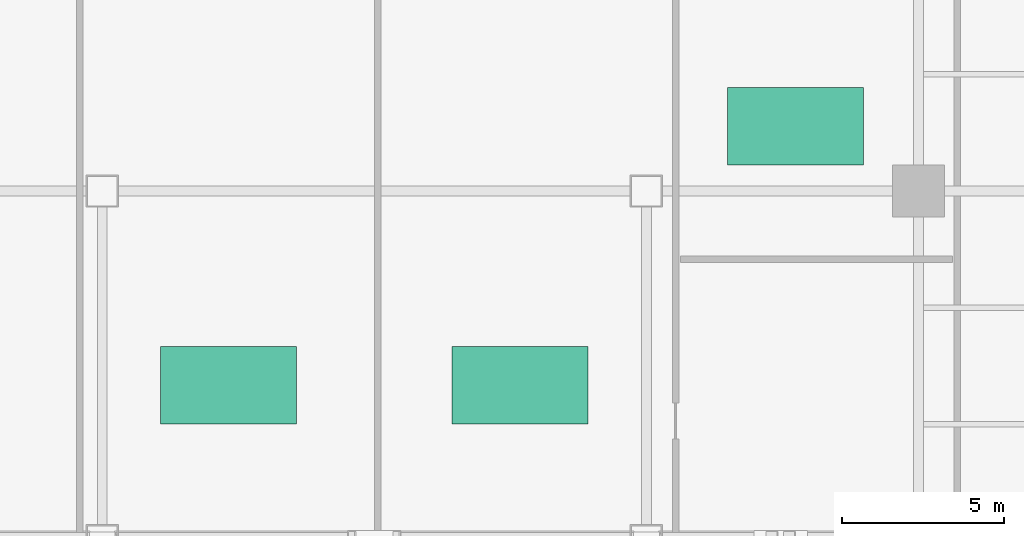
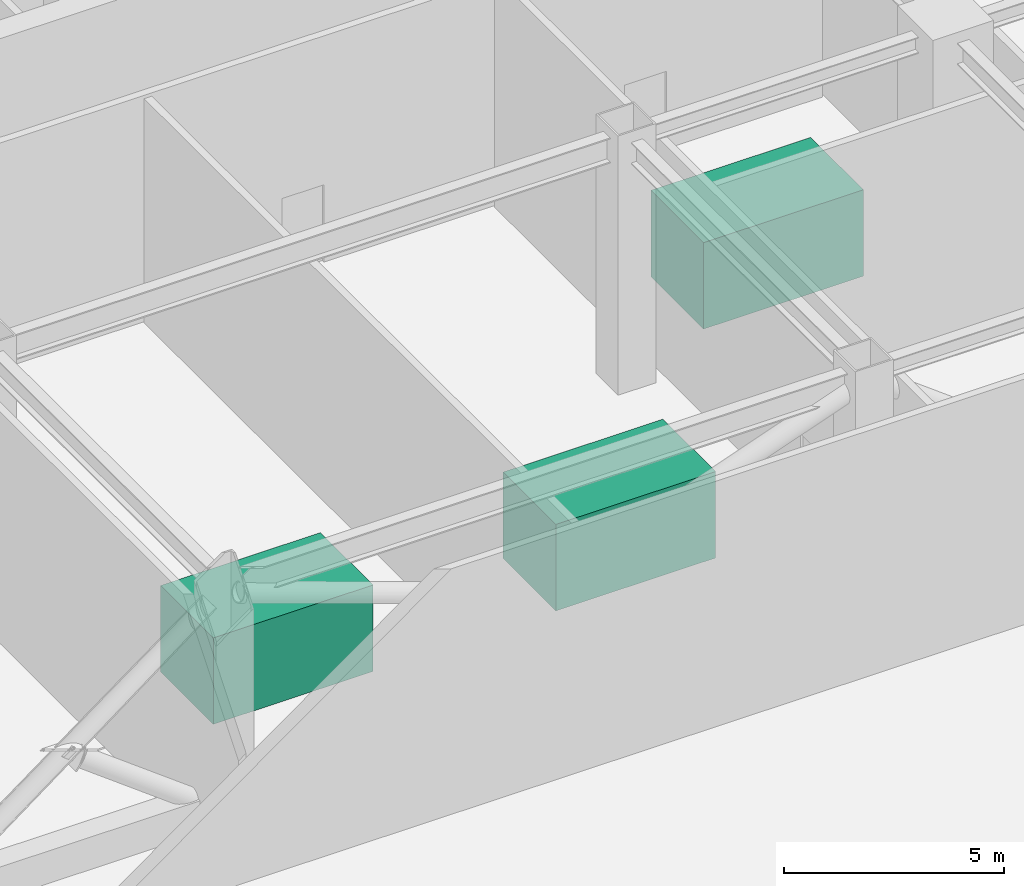
# One storey, part 8 of 8: 3 unitary equipment elements.
"""IFC4 building model written with IfcOpenShell, lengths in metres."""

import ifcopenshell
import ifcopenshell.guid

model = None  # the IFC model being written
_history = None  # IfcOwnerHistory: only IFC2X3 demands one
_inside = {}  # id of a spatial element -> (the spatial element, [elements in it])
_under = {}  # id of a project, library or spatial element -> (it, [spatial elements below it])
_declared = {}  # id of a project -> (the project, [libraries it declares])
_typed = {}  # id of a type object -> (the type object, [elements of that type])
_made_of = {}  # id of a material, layer set ... -> (it, [elements and type objects made of it])


def new_model(schema):
    """Start an empty IFC model of exactly this schema.

    Asked for "IFC4X3", IfcOpenShell would pick the latest addendum, in which some entities
    have other attributes; the version numbers below select the first issue.
    IFC2X3 requires an IfcOwnerHistory on every rooted entity: one is made here for all.
    """
    global model, _history
    if schema == "IFC4X3":
        model = ifcopenshell.file(schema_version=(4, 3, 0, 0))
    else:
        model = ifcopenshell.file(schema=schema)
    _inside.clear()
    _under.clear()
    _declared.clear()
    _typed.clear()
    _made_of.clear()
    _history = None
    if model.schema == "IFC2X3":
        org = make("IfcOrganization", Name="unknown")
        user = make(
            "IfcPersonAndOrganization",
            ThePerson=make("IfcPerson", FamilyName="unknown"),
            TheOrganization=org,
        )
        app = make(
            "IfcApplication",
            ApplicationDeveloper=org,
            Version="unknown",
            ApplicationFullName="unknown",
            ApplicationIdentifier="unknown",
        )
        _history = make(
            "IfcOwnerHistory",
            OwningUser=user,
            OwningApplication=app,
            ChangeAction="ADDED",
            CreationDate=0,
        )
    return model


def make(cls, **values):
    """One entity of the class cls with the attributes given. An attribute that is None is left unset."""
    return model.create_entity(
        cls, **{name: value for name, value in values.items() if value is not None}
    )


def rooted(cls, **values):
    """An entity with a GlobalId (a new one), such as an element, a storey or a relation."""
    return make(cls, GlobalId=ifcopenshell.guid.new(), OwnerHistory=_history, **values)


def si_unit(unit_type, name, prefix=None):
    """IfcSIUnit, for example si_unit("LENGTHUNIT", "METRE", prefix="MILLI")."""
    return make("IfcSIUnit", UnitType=unit_type, Prefix=prefix, Name=name)


def assignment(units):
    """IfcUnitAssignment: the units of a project."""
    return None if units is None else make("IfcUnitAssignment", Units=units)


def point(xyz):
    """IfcCartesianPoint."""
    return None if xyz is None else make("IfcCartesianPoint", Coordinates=xyz)


def direction(xyz):
    """IfcDirection."""
    return None if xyz is None else make("IfcDirection", DirectionRatios=xyz)


def frame(location, z_axis=None, x_axis=None):
    """IfcAxis2Placement3D, a coordinate frame: its origin and axes. An axis left out is left unset."""
    return make(
        "IfcAxis2Placement3D",
        Location=point(location),
        Axis=direction(z_axis),
        RefDirection=direction(x_axis),
    )


def frame_2d(location, x_axis=None):
    """IfcAxis2Placement2D, a coordinate frame in the plane: its origin and x axis."""
    return make(
        "IfcAxis2Placement2D", Location=point(location), RefDirection=direction(x_axis)
    )


def origin():
    """The frame at (0, 0, 0) with its axes left unset."""
    return frame((0.0, 0.0, 0.0))


def origin_2d():
    """The frame at (0, 0) in the plane with its x axis left unset."""
    return frame_2d((0.0, 0.0))


def place(relative_to, where):
    """IfcLocalPlacement: puts the frame where relative to a parent placement (None: the world)."""
    return make(
        "IfcLocalPlacement", PlacementRelTo=relative_to, RelativePlacement=where
    )


def context(
    kind, dimensions, precision=None, world=None, true_north=None, identifier=None
):
    """IfcGeometricRepresentationContext, for example the 3D "Model" context."""
    return make(
        "IfcGeometricRepresentationContext",
        ContextIdentifier=identifier,
        ContextType=kind,
        CoordinateSpaceDimension=dimensions,
        Precision=precision,
        WorldCoordinateSystem=world,
        TrueNorth=true_north,
    )


def subcontext(parent, identifier, kind, view, scale=None):
    """IfcGeometricRepresentationSubContext, for example "Body" below "Model"."""
    return make(
        "IfcGeometricRepresentationSubContext",
        ContextIdentifier=identifier,
        ContextType=kind,
        ParentContext=parent,
        TargetScale=scale,
        TargetView=view,
    )


def project(units=None, contexts=None):
    """IfcProject with its units and contexts."""
    return rooted(
        "IfcProject",
        Name="project",
        RepresentationContexts=contexts,
        UnitsInContext=assignment(units),
    )


def spatial(cls, under=None, at=None, **own):
    """A site, building, storey or space (cls), placed at a placement, below another one or the project."""
    s = rooted(cls, ObjectPlacement=at, **own)
    if under is not None:
        _under.setdefault(under.id(), (under, []))[1].append(s)
    return s


def profile(cls, at=None, kind="AREA", **sizes):
    """A parametric profile (cls). Its sizes go by their IFC names, for example OverallWidth=200.0."""
    return make(cls, ProfileType=kind, Position=at, **sizes)


def rectangle(**sizes):
    """IfcRectangleProfileDef."""
    return profile("IfcRectangleProfileDef", **sizes)


def extrude(swept, where, along, depth):
    """IfcExtrudedAreaSolid: the profile swept, set in the frame where, extruded along a direction by depth."""
    return make(
        "IfcExtrudedAreaSolid",
        SweptArea=swept,
        Position=where,
        ExtrudedDirection=direction(along),
        Depth=depth,
    )


def shape(context_of_items, identifier, shape_type, items):
    """IfcShapeRepresentation: the items that make up one representation, for example the "Body"."""
    return make(
        "IfcShapeRepresentation",
        ContextOfItems=context_of_items,
        RepresentationIdentifier=identifier,
        RepresentationType=shape_type,
        Items=items,
    )


def source(mapping_origin, context_of_items, identifier, shape_type, items):
    """IfcRepresentationMap: a shape defined once, which mapped items show again and again."""
    return make(
        "IfcRepresentationMap",
        MappingOrigin=mapping_origin,
        MappedRepresentation=shape(context_of_items, identifier, shape_type, items),
    )


def transform(
    local_origin,
    x_axis=None,
    y_axis=None,
    z_axis=None,
    scale=None,
    scale2=None,
    scale3=None,
    uniform=True,
):
    """IfcCartesianTransformationOperator3D, or its non-uniform kind. x_axis, y_axis, z_axis: its Axis1, 2, 3."""
    if uniform:
        return make(
            "IfcCartesianTransformationOperator3D",
            Axis1=direction(x_axis),
            Axis2=direction(y_axis),
            LocalOrigin=point(local_origin),
            Scale=scale,
            Axis3=direction(z_axis),
        )
    return make(
        "IfcCartesianTransformationOperator3DnonUniform",
        Axis1=direction(x_axis),
        Axis2=direction(y_axis),
        LocalOrigin=point(local_origin),
        Scale=scale,
        Axis3=direction(z_axis),
        Scale2=scale2,
        Scale3=scale3,
    )


def mapped(mapping_source, mapping_target):
    """IfcMappedItem: shows the shape of a source again, moved by a transform."""
    return make(
        "IfcMappedItem", MappingSource=mapping_source, MappingTarget=mapping_target
    )


def material(Name=None, Category=None):
    """IfcMaterial."""
    return make("IfcMaterial", Name=Name, Category=Category)


def made_of(thing, what):
    """Note that an element or type object is made of a material, layer set ...; save() writes the relation."""
    if what is not None:
        _made_of.setdefault(what.id(), (what, []))[1].append(thing)
    return thing


def type_object(cls, material=None, **own):
    """A type object (cls), such as IfcWallType, which elements share."""
    return made_of(rooted(cls, **own), material)


def element(
    cls,
    number,
    at=None,
    inside=None,
    cuts=None,
    type_object=None,
    material=None,
    context=None,
    identifier="Body",
    shape_type=None,
    held_by="IfcProductDefinitionShape",
    body=None,
    shapes=None,
    **own,
):
    """One element of the class cls, such as IfcWall. Its Tag is "e" and its number.

    at: its placement. inside: the storey or other place that contains it. cuts: it is an
    opening in that element (IfcRelVoidsElement). A single representation is given by context,
    identifier, shape_type and body (its items); several are given by shapes. held_by: the class
    of the entity that holds the representations. save() writes the other relations.
    """
    e = rooted(cls, Tag="e%d" % number, ObjectPlacement=at, **own)
    if body is not None:
        shapes = [shape(context, identifier, shape_type, body)]
    if shapes is not None:
        e.Representation = make(held_by, Representations=shapes)
    if inside is not None:
        _inside.setdefault(inside.id(), (inside, []))[1].append(e)
    if cuts is not None:
        rooted(
            "IfcRelVoidsElement", RelatingBuildingElement=cuts, RelatedOpeningElement=e
        )
    if type_object is not None:
        _typed.setdefault(type_object.id(), (type_object, []))[1].append(e)
    return made_of(e, material)


def aggregate(whole, parts):
    """IfcRelAggregates: a whole, such as a stair, and the parts it consists of."""
    return rooted("IfcRelAggregates", RelatingObject=whole, RelatedObjects=parts)


def save(model, path):
    """Write the relations noted so far, then the file.

    IfcRelAggregates (storeys below a building ...), IfcRelContainedInSpatialStructure (elements
    in a storey), IfcRelDefinesByType, IfcRelAssociatesMaterial and IfcRelDeclares: one each for
    every whole, place, type object, material and project.
    """
    for whole, parts in _under.values():
        aggregate(whole, parts)
    for where, things in _inside.values():
        rooted(
            "IfcRelContainedInSpatialStructure",
            RelatedElements=things,
            RelatingStructure=where,
        )
    for kind, things in _typed.values():
        rooted("IfcRelDefinesByType", RelatedObjects=things, RelatingType=kind)
    for what, things in _made_of.values():
        rooted("IfcRelAssociatesMaterial", RelatedObjects=things, RelatingMaterial=what)
    for by, libraries in _declared.values():
        rooted("IfcRelDeclares", RelatingContext=by, RelatedDefinitions=libraries)
    model.write(path)


model = new_model("IFC4")

# Units and contexts
model_context = context("Model", 3, precision=1e-05, world=origin(), true_north=direction((0.0, 1.0)))
body_context = subcontext(model_context, "Body", "Model", "MODEL_VIEW")
ifc_project = project(units=[si_unit("LENGTHUNIT", "METRE"), si_unit("AREAUNIT", "SQUARE_METRE"), si_unit("VOLUMEUNIT", "CUBIC_METRE"), si_unit("PLANEANGLEUNIT", "RADIAN"), si_unit("MASSUNIT", "GRAM", prefix="KILO")], contexts=[model_context])

# Site, building, storey
site_placement = place(None, origin())
site = spatial("IfcSite", under=ifc_project, at=site_placement, CompositionType="ELEMENT")
building_placement = place(site_placement, origin())
building = spatial("IfcBuilding", under=site, at=building_placement, Name="Sumidabori Civic Tower", CompositionType="ELEMENT")
storey_placement = place(building_placement, frame((0.0, 0.0, 189.199951171875)))
storey = spatial("IfcBuildingStorey", under=building, at=storey_placement, Name="L49", CompositionType="ELEMENT", Elevation=189.199951171875)

# Unitary equipment
ifc_material = material(Name="Stainless Steel Hairline Finish", Category="steel")
unitary_equipment_type = type_object("IfcUnitaryEquipmentType", Name="EQ-PLANT-1", PredefinedType="AIRHANDLER", material=ifc_material)
shared_shape = source(origin(), body_context, "Body", "SweptSolid", [
    extrude(rectangle(XDim=4.199951171875, YDim=2.39990234375, at=origin_2d()), origin(), (0.0, 0.0, 1.0), 2.39990234375),
])
for number, where, z_axis, x_axis, name in (
    (1, (-4.5, -6.0, 0.0), (0.0, 0.0, 1.0), (1.0, 0.0, 0.0), "Centrifugal Chiller Unit L49-1"),
    (2, (4.5, -6.0, 0.0), (0.0, 0.0, 1.0), (1.0, 0.0, 0.0), "Heat Recovery AHU L49-2"),
    (3, (13.0, 2.0, 0.0), (0.0, 0.0, 1.0), (1.0, 0.0, 0.0), "Main Switchgear Cubicle L49-3"),
):
    element("IfcUnitaryEquipment", number, at=place(storey_placement, frame(where, z_axis=z_axis, x_axis=x_axis)), inside=storey, type_object=unitary_equipment_type, Name=name, PredefinedType="AIRHANDLER", context=body_context, shape_type="MappedRepresentation", body=[
        mapped(shared_shape, transform((0.0, 0.0, 0.0), x_axis=(1.0, 0.0, 0.0), y_axis=(0.0, 1.0, 0.0), z_axis=(0.0, 0.0, 1.0), scale=1.0)),
    ])

save(model, "model.ifc")
